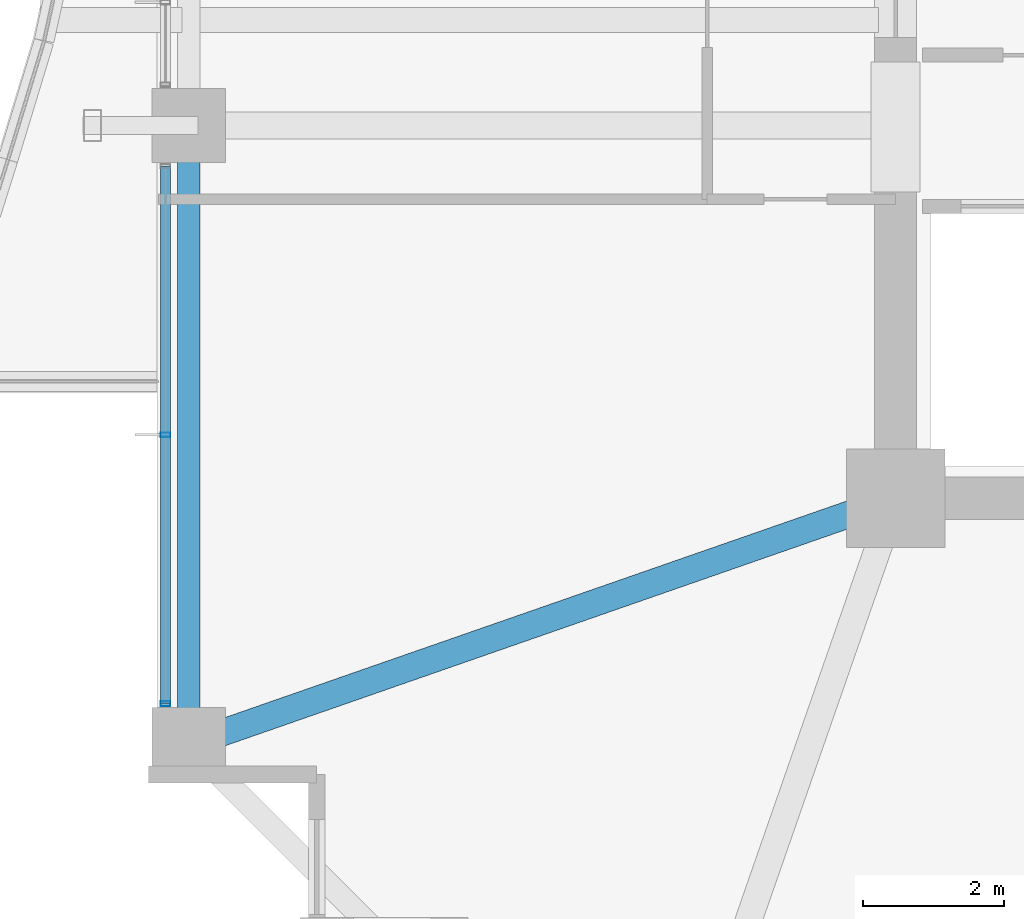
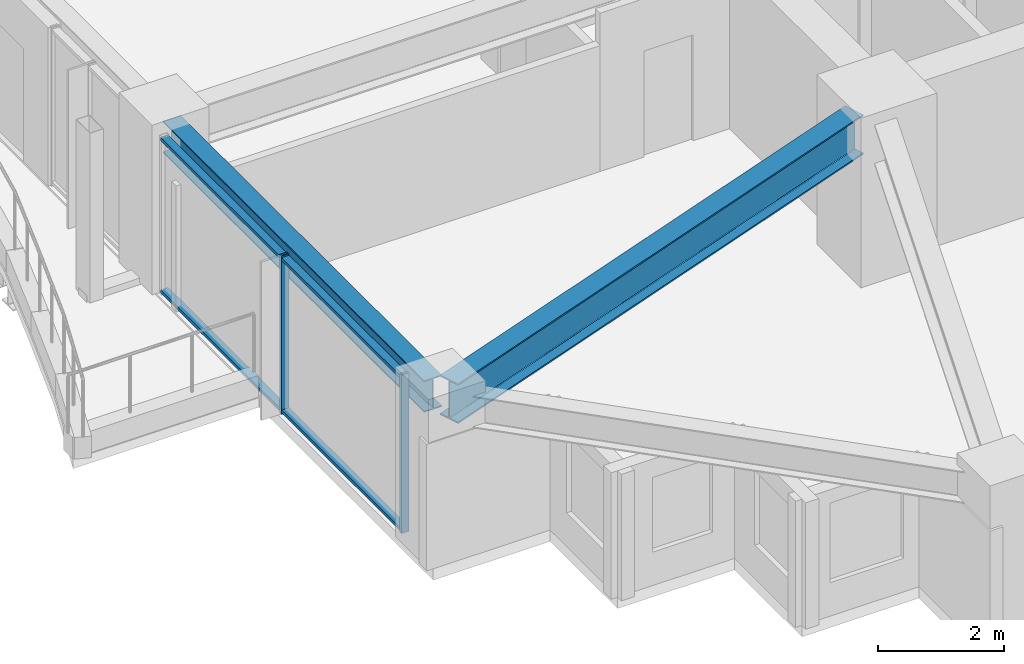
# One storey, part 3 of 37: 4 members, 2 beams, 1 element without a shape of its own.
"""IFC4 building model written with IfcOpenShell, lengths in metres."""

from ifc_helpers import new_model, si_unit, direction, frame, origin, origin_2d, place, context, subcontext, project, spatial, hollow_rectangle, i_section, extrude, material, material_profile, profile_set, type_object, element, aggregate, save


model = new_model("IFC4")

# Units and contexts
model_context = context("Model", 3, precision=1e-05, world=origin(), true_north=direction((0.0, 1.0)))
body_context = subcontext(model_context, "Body", "Model", "MODEL_VIEW")
ifc_project = project(units=[si_unit("LENGTHUNIT", "METRE"), si_unit("AREAUNIT", "SQUARE_METRE"), si_unit("VOLUMEUNIT", "CUBIC_METRE"), si_unit("PLANEANGLEUNIT", "RADIAN"), si_unit("MASSUNIT", "GRAM", prefix="KILO")], contexts=[model_context])

# Site, building, storey
site_placement = place(None, origin())
site = spatial("IfcSite", under=ifc_project, at=site_placement, CompositionType="ELEMENT")
building_placement = place(site_placement, origin())
building = spatial("IfcBuilding", under=site, at=building_placement, Name="Kolvaren Belvedere", CompositionType="ELEMENT")
storey_placement = place(building_placement, frame((0.0, 0.0, 82.10009765625)))
storey = spatial("IfcBuildingStorey", under=building, at=storey_placement, Name="L23", CompositionType="ELEMENT", Elevation=82.10009765625)

# Beams
ifc_material_1 = material(Name="Structural steel ASTM A992 Grade 50", Category="steel")
ifc_material_profile_1 = material_profile(ifc_material_1, i_section(OverallWidth=0.381103515625, OverallDepth=0.77294921875, WebThickness=0.0166015625, FlangeThickness=0.027099609375, FilletRadius=0.02392578125, at=origin_2d()), Name="W30X173")
ifc_profile_set_1 = profile_set([ifc_material_profile_1], Name="Structural steel ASTM A992 Grade 50")
beam_type_1 = type_object("IfcBeamType", Name="BM-GIRD-W30X173", PredefinedType="BEAM", material=ifc_profile_set_1)
beam_1_placement = place(storey_placement, frame((-10.41943359375, -10.080810546875, 2.693359375), z_axis=(-0.944371408538, -0.328880894453, 0.0), x_axis=(0.328880894453, -0.944371408538, 0.0)))
element("IfcBeam", 1, at=beam_1_placement, inside=storey, type_object=beam_type_1, Name="L23 Corner Core-to-Perimeter Girder CC1-W1", PredefinedType="BEAM", context=body_context, shape_type="SweptSolid", body=[
    extrude(i_section(OverallWidth=0.381103515625, OverallDepth=0.77294921875, WebThickness=0.0166015625, FlangeThickness=0.027099609375, FilletRadius=0.02392578125, at=origin_2d()), origin(), (0.0, 0.0, 1.0), 9.882080078125),
])
ifc_material_2 = material(Name="Structural steel ASTM A992 Grade 50", Category="steel")
ifc_material_profile_2 = material_profile(ifc_material_2, i_section(OverallWidth=0.324951171875, OverallDepth=0.615966796875, WebThickness=0.013916015625, FlangeThickness=0.021484375, FilletRadius=0.02001953125, at=origin_2d()), Name="W24X117")
ifc_profile_set_2 = profile_set([ifc_material_profile_2], Name="Structural steel ASTM A992 Grade 50")
beam_type_2 = type_object("IfcBeamType", Name="BM-SPAN-W24X117", PredefinedType="SPANDREL", material=ifc_profile_set_2)
beam_2_placement = place(storey_placement, frame((-19.949951171875, -4.836181640625, 2.77197265625), z_axis=(0.0, -1.0, 0.0), x_axis=(1.0, 0.0, 0.0)))
element("IfcBeam", 2, at=beam_2_placement, inside=storey, type_object=beam_type_2, Name="L23 Perimeter Spandrel W2-W1", PredefinedType="SPANDREL", context=body_context, shape_type="SweptSolid", body=[
    extrude(i_section(OverallWidth=0.324951171875, OverallDepth=0.615966796875, WebThickness=0.013916015625, FlangeThickness=0.021484375, FilletRadius=0.02001953125, at=origin_2d()), origin(), (0.0, 0.0, 1.0), 8.32763671875),
])

# Curtain wall, members
ifc_material_3 = material(Name="Anodised pale-metal aluminium AA 6063-T6", Category="aluminium")
curtain_wall_type = type_object("IfcCurtainWallType", Name="CW-Z2-MID", PredefinedType="NOTDEFINED", material=ifc_material_3)
curtain_wall_placement = place(storey_placement, origin())
curtain_wall = element("IfcCurtainWall", 3, at=curtain_wall_placement, inside=storey, type_object=curtain_wall_type, Name="L23 Unitised Curtain Wall FCW-L23-W1-B1", PredefinedType="NOTDEFINED")
ifc_material_4 = material(Name="Anodised pale-metal aluminium AA 6063-T6", Category="aluminium")
ifc_material_profile_3 = material_profile(ifc_material_4, hollow_rectangle(XDim=0.06494140625, YDim=0.139892578125, WallThickness=0.00390625, at=origin_2d()), Name="ALU-MUL-140X65")
ifc_profile_set_3 = profile_set([ifc_material_profile_3], Name="Anodised pale-metal aluminium AA 6063-T6")
member_type_1 = type_object("IfcMemberType", Name="CW-MUL-140", PredefinedType="MULLION", material=ifc_profile_set_3)
member_1_placement = place(storey_placement, frame((-20.280029296875, -12.822509765625, 0.0), z_axis=(0.0, 0.0, 1.0), x_axis=(0.0, 1.0, 0.0)))
member_1 = element("IfcMember", 4, at=member_1_placement, type_object=member_type_1, Name="FCW-L23-W1-B1 Unitised Mullion 1", PredefinedType="MULLION", context=body_context, shape_type="SweptSolid", body=[
    extrude(hollow_rectangle(XDim=0.06494140625, YDim=0.139892578125, WallThickness=0.00390625, at=origin_2d()), origin(), (0.0, 0.0, 1.0), 3.079833984375),
])
member_2_placement = place(storey_placement, frame((-20.280029296875, -9.0, 0.0), z_axis=(0.0, 0.0, 1.0), x_axis=(0.0, 1.0, 0.0)))
member_2 = element("IfcMember", 5, at=member_2_placement, type_object=member_type_1, Name="FCW-L23-W1-B1 Unitised Mullion 2", PredefinedType="MULLION", context=body_context, shape_type="SweptSolid", body=[
    extrude(hollow_rectangle(XDim=0.06494140625, YDim=0.139892578125, WallThickness=0.00390625, at=origin_2d()), origin(), (0.0, 0.0, 1.0), 3.079833984375),
])
ifc_material_5 = material(Name="Anodised pale-metal aluminium AA 6063-T6", Category="aluminium")
ifc_material_profile_4 = material_profile(ifc_material_5, hollow_rectangle(XDim=0.06005859375, YDim=0.139892578125, WallThickness=0.00390625, at=origin_2d()), Name="ALU-TRN-140X60")
ifc_profile_set_4 = profile_set([ifc_material_profile_4], Name="Anodised pale-metal aluminium AA 6063-T6")
member_type_2 = type_object("IfcMemberType", Name="CW-TRN-140", PredefinedType="USERDEFINED", material=ifc_profile_set_4)
member_3_placement = place(storey_placement, frame((-20.280029296875, -12.822509765625, 0.059814453125), z_axis=(0.0, 1.0, 0.0), x_axis=(0.0, 0.0, 1.0)))
member_3 = element("IfcMember", 6, at=member_3_placement, type_object=member_type_2, Name="FCW-L23-W1-B1 Sill Transom", ObjectType="TRANSOM", PredefinedType="USERDEFINED", context=body_context, shape_type="SweptSolid", body=[
    extrude(hollow_rectangle(XDim=0.06005859375, YDim=0.139892578125, WallThickness=0.00390625, at=origin_2d()), origin(), (0.0, 0.0, 1.0), 7.64501953125),
])
member_4_placement = place(storey_placement, frame((-20.280029296875, -12.822509765625, 3.02001953125), z_axis=(0.0, 1.0, 0.0), x_axis=(0.0, 0.0, 1.0)))
member_4 = element("IfcMember", 7, at=member_4_placement, type_object=member_type_2, Name="FCW-L23-W1-B1 Head Transom", ObjectType="TRANSOM", PredefinedType="USERDEFINED", context=body_context, shape_type="SweptSolid", body=[
    extrude(hollow_rectangle(XDim=0.06005859375, YDim=0.139892578125, WallThickness=0.00390625, at=origin_2d()), origin(), (0.0, 0.0, 1.0), 7.64501953125),
])
aggregate(curtain_wall, [member_1, member_2, member_3, member_4])

save(model, "model.ifc")
